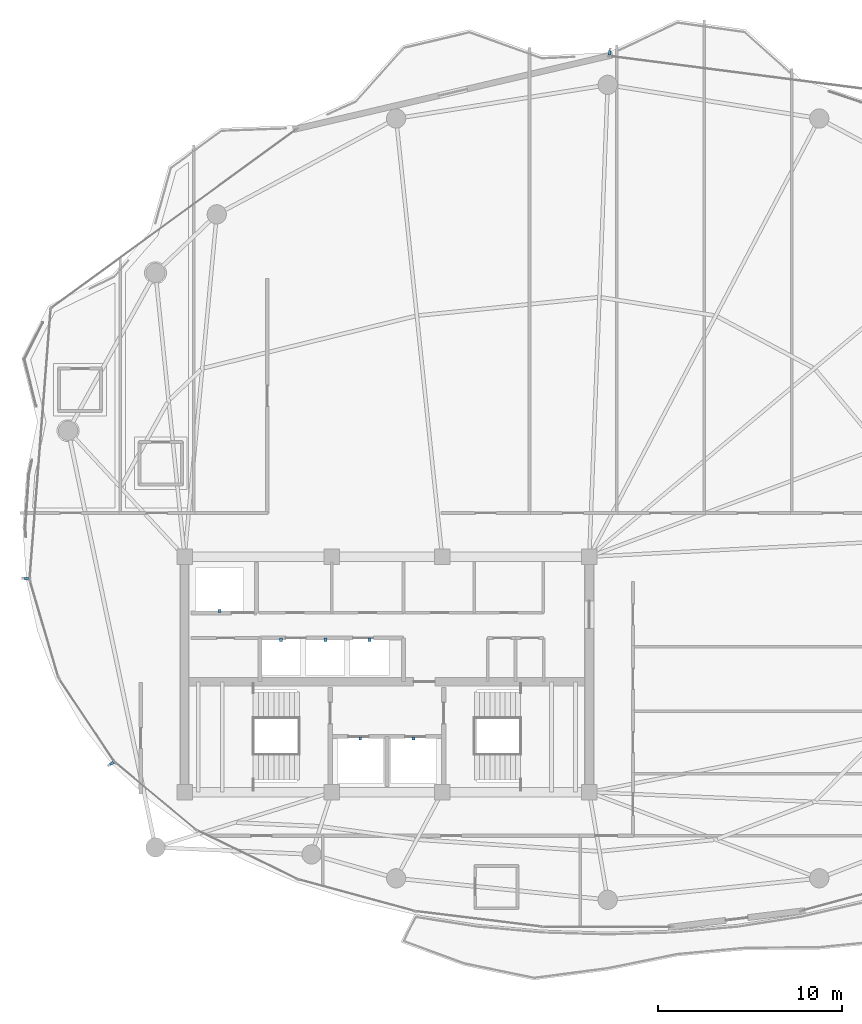
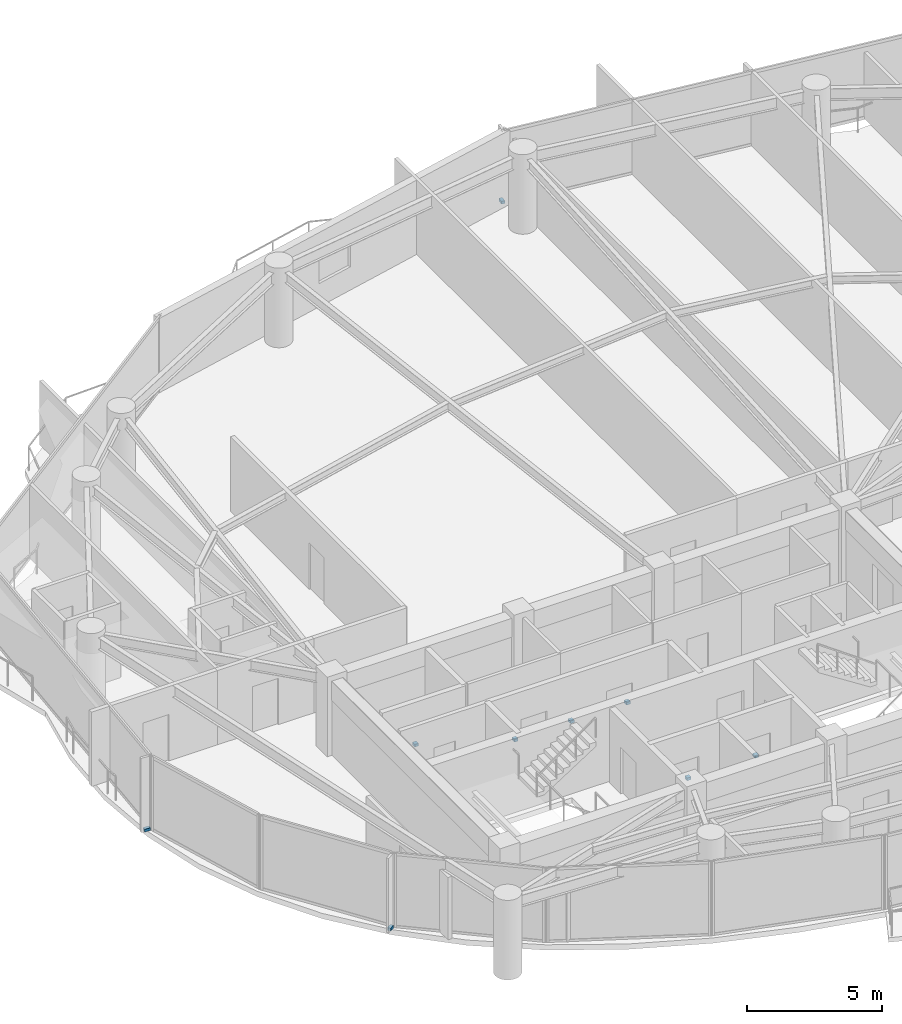
# One storey, part 28 of 31: 9 discrete accessories.
"""IFC4 building model written with IfcOpenShell, lengths in metres."""

import ifcopenshell
import ifcopenshell.guid

model = None  # the IFC model being written
_history = None  # IfcOwnerHistory: only IFC2X3 demands one
_inside = {}  # id of a spatial element -> (the spatial element, [elements in it])
_under = {}  # id of a project, library or spatial element -> (it, [spatial elements below it])
_declared = {}  # id of a project -> (the project, [libraries it declares])
_typed = {}  # id of a type object -> (the type object, [elements of that type])
_made_of = {}  # id of a material, layer set ... -> (it, [elements and type objects made of it])


def new_model(schema):
    """Start an empty IFC model of exactly this schema.

    Asked for "IFC4X3", IfcOpenShell would pick the latest addendum, in which some entities
    have other attributes; the version numbers below select the first issue.
    IFC2X3 requires an IfcOwnerHistory on every rooted entity: one is made here for all.
    """
    global model, _history
    if schema == "IFC4X3":
        model = ifcopenshell.file(schema_version=(4, 3, 0, 0))
    else:
        model = ifcopenshell.file(schema=schema)
    _inside.clear()
    _under.clear()
    _declared.clear()
    _typed.clear()
    _made_of.clear()
    _history = None
    if model.schema == "IFC2X3":
        org = make("IfcOrganization", Name="unknown")
        user = make(
            "IfcPersonAndOrganization",
            ThePerson=make("IfcPerson", FamilyName="unknown"),
            TheOrganization=org,
        )
        app = make(
            "IfcApplication",
            ApplicationDeveloper=org,
            Version="unknown",
            ApplicationFullName="unknown",
            ApplicationIdentifier="unknown",
        )
        _history = make(
            "IfcOwnerHistory",
            OwningUser=user,
            OwningApplication=app,
            ChangeAction="ADDED",
            CreationDate=0,
        )
    return model


def make(cls, **values):
    """One entity of the class cls with the attributes given. An attribute that is None is left unset."""
    return model.create_entity(
        cls, **{name: value for name, value in values.items() if value is not None}
    )


def rooted(cls, **values):
    """An entity with a GlobalId (a new one), such as an element, a storey or a relation."""
    return make(cls, GlobalId=ifcopenshell.guid.new(), OwnerHistory=_history, **values)


def si_unit(unit_type, name, prefix=None):
    """IfcSIUnit, for example si_unit("LENGTHUNIT", "METRE", prefix="MILLI")."""
    return make("IfcSIUnit", UnitType=unit_type, Prefix=prefix, Name=name)


def assignment(units):
    """IfcUnitAssignment: the units of a project."""
    return None if units is None else make("IfcUnitAssignment", Units=units)


def point(xyz):
    """IfcCartesianPoint."""
    return None if xyz is None else make("IfcCartesianPoint", Coordinates=xyz)


def direction(xyz):
    """IfcDirection."""
    return None if xyz is None else make("IfcDirection", DirectionRatios=xyz)


def frame(location, z_axis=None, x_axis=None):
    """IfcAxis2Placement3D, a coordinate frame: its origin and axes. An axis left out is left unset."""
    return make(
        "IfcAxis2Placement3D",
        Location=point(location),
        Axis=direction(z_axis),
        RefDirection=direction(x_axis),
    )


def frame_2d(location, x_axis=None):
    """IfcAxis2Placement2D, a coordinate frame in the plane: its origin and x axis."""
    return make(
        "IfcAxis2Placement2D", Location=point(location), RefDirection=direction(x_axis)
    )


def origin():
    """The frame at (0, 0, 0) with its axes left unset."""
    return frame((0.0, 0.0, 0.0))


def origin_2d():
    """The frame at (0, 0) in the plane with its x axis left unset."""
    return frame_2d((0.0, 0.0))


def place(relative_to, where):
    """IfcLocalPlacement: puts the frame where relative to a parent placement (None: the world)."""
    return make(
        "IfcLocalPlacement", PlacementRelTo=relative_to, RelativePlacement=where
    )


def context(
    kind, dimensions, precision=None, world=None, true_north=None, identifier=None
):
    """IfcGeometricRepresentationContext, for example the 3D "Model" context."""
    return make(
        "IfcGeometricRepresentationContext",
        ContextIdentifier=identifier,
        ContextType=kind,
        CoordinateSpaceDimension=dimensions,
        Precision=precision,
        WorldCoordinateSystem=world,
        TrueNorth=true_north,
    )


def subcontext(parent, identifier, kind, view, scale=None):
    """IfcGeometricRepresentationSubContext, for example "Body" below "Model"."""
    return make(
        "IfcGeometricRepresentationSubContext",
        ContextIdentifier=identifier,
        ContextType=kind,
        ParentContext=parent,
        TargetScale=scale,
        TargetView=view,
    )


def project(units=None, contexts=None):
    """IfcProject with its units and contexts."""
    return rooted(
        "IfcProject",
        Name="project",
        RepresentationContexts=contexts,
        UnitsInContext=assignment(units),
    )


def spatial(cls, under=None, at=None, **own):
    """A site, building, storey or space (cls), placed at a placement, below another one or the project."""
    s = rooted(cls, ObjectPlacement=at, **own)
    if under is not None:
        _under.setdefault(under.id(), (under, []))[1].append(s)
    return s


def profile(cls, at=None, kind="AREA", **sizes):
    """A parametric profile (cls). Its sizes go by their IFC names, for example OverallWidth=200.0."""
    return make(cls, ProfileType=kind, Position=at, **sizes)


def rectangle(**sizes):
    """IfcRectangleProfileDef."""
    return profile("IfcRectangleProfileDef", **sizes)


def extrude(swept, where, along, depth):
    """IfcExtrudedAreaSolid: the profile swept, set in the frame where, extruded along a direction by depth."""
    return make(
        "IfcExtrudedAreaSolid",
        SweptArea=swept,
        Position=where,
        ExtrudedDirection=direction(along),
        Depth=depth,
    )


def shape(context_of_items, identifier, shape_type, items):
    """IfcShapeRepresentation: the items that make up one representation, for example the "Body"."""
    return make(
        "IfcShapeRepresentation",
        ContextOfItems=context_of_items,
        RepresentationIdentifier=identifier,
        RepresentationType=shape_type,
        Items=items,
    )


def material(Name=None, Category=None):
    """IfcMaterial."""
    return make("IfcMaterial", Name=Name, Category=Category)


def made_of(thing, what):
    """Note that an element or type object is made of a material, layer set ...; save() writes the relation."""
    if what is not None:
        _made_of.setdefault(what.id(), (what, []))[1].append(thing)
    return thing


def type_object(cls, material=None, **own):
    """A type object (cls), such as IfcWallType, which elements share."""
    return made_of(rooted(cls, **own), material)


def element(
    cls,
    number,
    at=None,
    inside=None,
    cuts=None,
    type_object=None,
    material=None,
    context=None,
    identifier="Body",
    shape_type=None,
    held_by="IfcProductDefinitionShape",
    body=None,
    shapes=None,
    **own,
):
    """One element of the class cls, such as IfcWall. Its Tag is "e" and its number.

    at: its placement. inside: the storey or other place that contains it. cuts: it is an
    opening in that element (IfcRelVoidsElement). A single representation is given by context,
    identifier, shape_type and body (its items); several are given by shapes. held_by: the class
    of the entity that holds the representations. save() writes the other relations.
    """
    e = rooted(cls, Tag="e%d" % number, ObjectPlacement=at, **own)
    if body is not None:
        shapes = [shape(context, identifier, shape_type, body)]
    if shapes is not None:
        e.Representation = make(held_by, Representations=shapes)
    if inside is not None:
        _inside.setdefault(inside.id(), (inside, []))[1].append(e)
    if cuts is not None:
        rooted(
            "IfcRelVoidsElement", RelatingBuildingElement=cuts, RelatedOpeningElement=e
        )
    if type_object is not None:
        _typed.setdefault(type_object.id(), (type_object, []))[1].append(e)
    return made_of(e, material)


def aggregate(whole, parts):
    """IfcRelAggregates: a whole, such as a stair, and the parts it consists of."""
    return rooted("IfcRelAggregates", RelatingObject=whole, RelatedObjects=parts)


def save(model, path):
    """Write the relations noted so far, then the file.

    IfcRelAggregates (storeys below a building ...), IfcRelContainedInSpatialStructure (elements
    in a storey), IfcRelDefinesByType, IfcRelAssociatesMaterial and IfcRelDeclares: one each for
    every whole, place, type object, material and project.
    """
    for whole, parts in _under.values():
        aggregate(whole, parts)
    for where, things in _inside.values():
        rooted(
            "IfcRelContainedInSpatialStructure",
            RelatedElements=things,
            RelatingStructure=where,
        )
    for kind, things in _typed.values():
        rooted("IfcRelDefinesByType", RelatedObjects=things, RelatingType=kind)
    for what, things in _made_of.values():
        rooted("IfcRelAssociatesMaterial", RelatedObjects=things, RelatingMaterial=what)
    for by, libraries in _declared.values():
        rooted("IfcRelDeclares", RelatingContext=by, RelatedDefinitions=libraries)
    model.write(path)


model = new_model("IFC4")

# Units and contexts
model_context = context("Model", 3, precision=1e-05, world=origin(), true_north=direction((0.0, 1.0)))
body_context = subcontext(model_context, "Body", "Model", "MODEL_VIEW")
ifc_project = project(units=[si_unit("LENGTHUNIT", "METRE"), si_unit("AREAUNIT", "SQUARE_METRE"), si_unit("VOLUMEUNIT", "CUBIC_METRE"), si_unit("PLANEANGLEUNIT", "RADIAN"), si_unit("MASSUNIT", "GRAM", prefix="KILO")], contexts=[model_context])

# Site, building, storey
site_placement = place(None, origin())
site = spatial("IfcSite", under=ifc_project, at=site_placement, CompositionType="ELEMENT")
building_placement = place(site_placement, origin())
building = spatial("IfcBuilding", under=site, at=building_placement, Name="Kazevale Care Tower and Concert Hall", CompositionType="ELEMENT")
storey_placement = place(building_placement, frame((0.0, 0.0, 210.0)))
storey = spatial("IfcBuildingStorey", under=building, at=storey_placement, Name="L55", CompositionType="ELEMENT", Elevation=210.0)

# Discrete accessories
ifc_material = material(Name="Stainless Steel 316", Category="steel")
discrete_accessory_type_1 = type_object("IfcDiscreteAccessoryType", Name="Facade Fin Stainless Anchor Bracket BRK-1", PredefinedType="BRACKET", material=ifc_material)
for number, where, z_axis, x_axis, name in (
    (1, (18.04443359375, 25.1689453125, 0.0), (0.0, 0.0, 1.0), (-0.832147748683, -0.554553986878, 0.0), "cw:L55:f11:brk"),
    (2, (13.41259765625, 35.210205078125, 0.0), (0.0, 0.0, 1.0), (-0.996985422604, 0.077589091471, 0.0), "cw:L55:f13:brk"),
    (3, (45.10546875, 63.785400390625, 0.0), (0.0, 0.0, 1.0), (0.128103248172, 0.991760837, 0.0), "cw:L55:f16:brk"),
):
    element("IfcDiscreteAccessory", number, at=place(storey_placement, frame(where, z_axis=z_axis, x_axis=x_axis)), inside=storey, type_object=discrete_accessory_type_1, Name=name, PredefinedType="BRACKET", context=body_context, shape_type="SweptSolid", body=[
        extrude(rectangle(XDim=0.239990234375, YDim=0.139892578125, at=origin_2d()), origin(), (0.0, 0.0, 1.0), 0.1201171875),
    ])
discrete_accessory_type_2 = type_object("IfcDiscreteAccessoryType", Name="Hoistway Guide-Rail Wall Bracket HBRK-1", PredefinedType="BRACKET", material=ifc_material)
for number, where, z_axis, x_axis, name in (
    (4, (31.550048828125, 26.52001953125, 1.239990234375), (0.0, 0.0, 1.0), (1.0, 0.0, 0.0), "hbrk:FFL-1:L55"),
    (5, (34.449951171875, 26.52001953125, 1.239990234375), (0.0, 0.0, 1.0), (1.0, 0.0, 0.0), "hbrk:FFL-2:L55"),
    (6, (23.89990234375, 33.449951171875, 1.239990234375), (0.0, 0.0, 1.0), (1.0, 0.0, 0.0), "hbrk:SVL-1:L55"),
    (7, (27.25, 31.8798828125, 1.239990234375), (0.0, 0.0, 1.0), (1.0, 0.0, 0.0), "hbrk:PH-1:L55"),
    (8, (29.64990234375, 31.8798828125, 1.239990234375), (0.0, 0.0, 1.0), (1.0, 0.0, 0.0), "hbrk:PH-2:L55"),
    (9, (32.050048828125, 31.8798828125, 1.239990234375), (0.0, 0.0, 1.0), (1.0, 0.0, 0.0), "hbrk:PH-3:L55"),
):
    element("IfcDiscreteAccessory", number, at=place(storey_placement, frame(where, z_axis=z_axis, x_axis=x_axis)), inside=storey, type_object=discrete_accessory_type_2, Name=name, PredefinedType="BRACKET", context=body_context, shape_type="SweptSolid", body=[
        extrude(rectangle(XDim=0.159912109375, YDim=0.179931640625, at=origin_2d()), origin(), (0.0, 0.0, 1.0), 0.1201171875),
    ])

save(model, "model.ifc")
